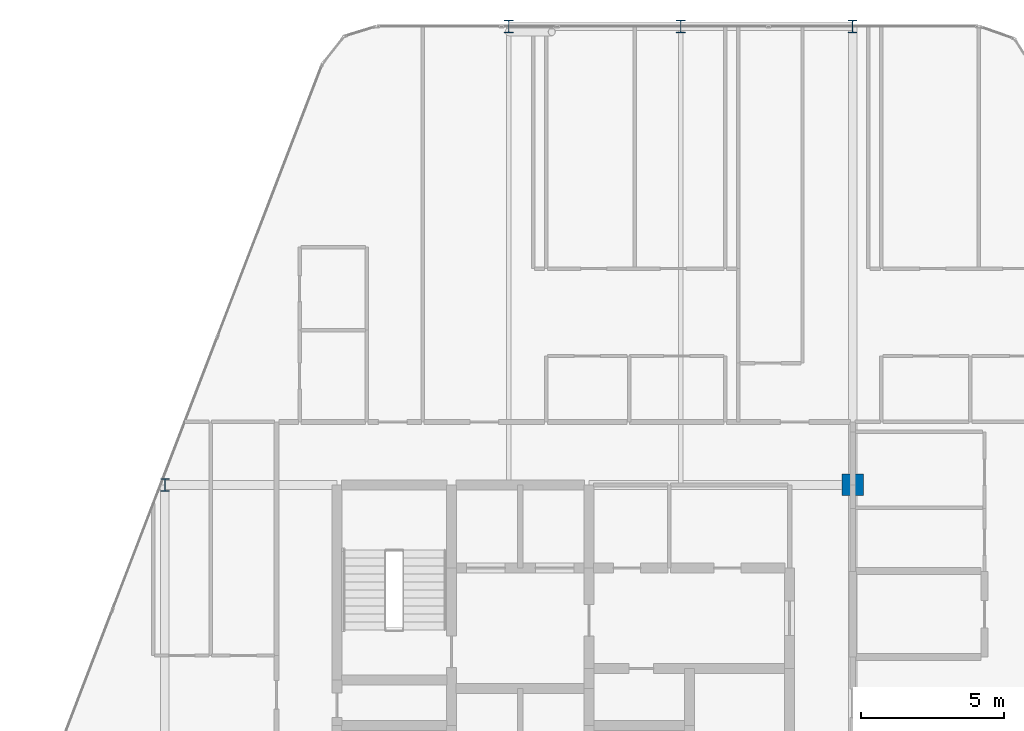
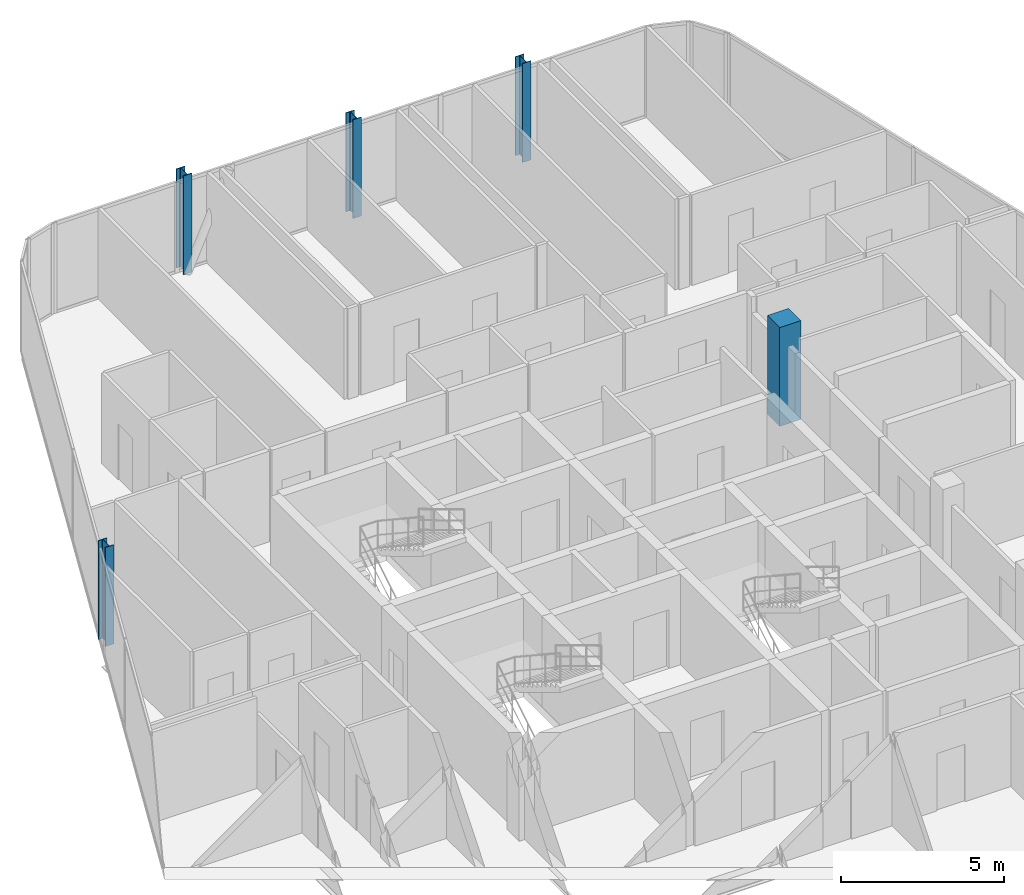
# One storey, part 3 of 29: 5 columns.
"""IFC4 building model written with IfcOpenShell, lengths in metres."""

from ifc_helpers import new_model, si_unit, direction, frame, origin, origin_2d, place, context, subcontext, project, spatial, rectangle, i_section, extrude, material, material_profile, profile_set, type_object, element, save


model = new_model("IFC4")

# Units and contexts
model_context = context("Model", 3, precision=1e-05, world=origin(), true_north=direction((0.0, 1.0)))
body_context = subcontext(model_context, "Body", "Model", "MODEL_VIEW")
ifc_project = project(units=[si_unit("LENGTHUNIT", "METRE"), si_unit("AREAUNIT", "SQUARE_METRE"), si_unit("VOLUMEUNIT", "CUBIC_METRE"), si_unit("PLANEANGLEUNIT", "RADIAN"), si_unit("MASSUNIT", "GRAM", prefix="KILO")], contexts=[model_context])

# Site, building, storey
site_placement = place(None, origin())
site = spatial("IfcSite", under=ifc_project, at=site_placement, CompositionType="ELEMENT")
building_placement = place(site_placement, origin())
building = spatial("IfcBuilding", under=site, at=building_placement, Name="Keshet Zoharim Tower", CompositionType="ELEMENT")
storey_placement = place(building_placement, frame((0.0, 0.0, 222.800048828125)))
storey = spatial("IfcBuildingStorey", under=building, at=storey_placement, Name="L55", CompositionType="ELEMENT", Elevation=222.800048828125)

# Columns
ifc_material_1 = material(Name="Steel S355", Category="steel")
ifc_material_profile_1 = material_profile(ifc_material_1, i_section(OverallWidth=0.300048828125, OverallDepth=0.449951171875, WebThickness=0.013916015625, FlangeThickness=0.02587890625, FilletRadius=0.027099609375, at=origin_2d()), Name="HEB450")
ifc_profile_set_1 = profile_set([ifc_material_profile_1], Name="Steel S355")
column_type_1 = type_object("IfcColumnType", Name="COL-HEB450", PredefinedType="COLUMN", material=ifc_profile_set_1)
for number, where, z_axis, x_axis, name in (
    (1, (9.0, 37.89990234375, 0.0), (0.0, 0.0, 1.0), (1.0, 0.0, 0.0), "L55 Column 2H"),
    (2, (21.0, 53.89990234375, 0.0), (0.0, 0.0, 1.0), (1.0, 0.0, 0.0), "L55 Column 4L"),
    (3, (27.0, 53.89990234375, 0.0), (0.0, 0.0, 1.0), (1.0, 0.0, 0.0), "L55 Column 5L"),
    (4, (33.0, 53.89990234375, 0.0), (0.0, 0.0, 1.0), (1.0, 0.0, 0.0), "L55 Column 6L"),
):
    element("IfcColumn", number, at=place(storey_placement, frame(where, z_axis=z_axis, x_axis=x_axis)), inside=storey, type_object=column_type_1, Name=name, PredefinedType="COLUMN", context=body_context, shape_type="SweptSolid", body=[
        extrude(i_section(OverallWidth=0.300048828125, OverallDepth=0.449951171875, WebThickness=0.013916015625, FlangeThickness=0.02587890625, FilletRadius=0.027099609375, at=origin_2d()), origin(), (0.0, 0.0, 1.0), 3.699951171875),
    ])
ifc_material_2 = material(Name="Concrete C50/60", Category="concrete")
ifc_material_profile_2 = material_profile(ifc_material_2, rectangle(XDim=0.75, YDim=0.75, at=origin_2d()), Name="RC750x750")
ifc_profile_set_2 = profile_set([ifc_material_profile_2], Name="Concrete C50/60")
column_type_2 = type_object("IfcColumnType", Name="COL-RC750", PredefinedType="COLUMN", material=ifc_profile_set_2)
column_placement = place(storey_placement, frame((33.0, 37.89990234375, 0.0), z_axis=(0.0, 0.0, 1.0), x_axis=(1.0, 0.0, 0.0)))
element("IfcColumn", 5, at=column_placement, inside=storey, type_object=column_type_2, Name="L55 Column 6H", PredefinedType="COLUMN", context=body_context, shape_type="SweptSolid", body=[
    extrude(rectangle(XDim=0.75, YDim=0.75, at=origin_2d()), origin(), (0.0, 0.0, 1.0), 3.699951171875),
])

save(model, "model.ifc")
